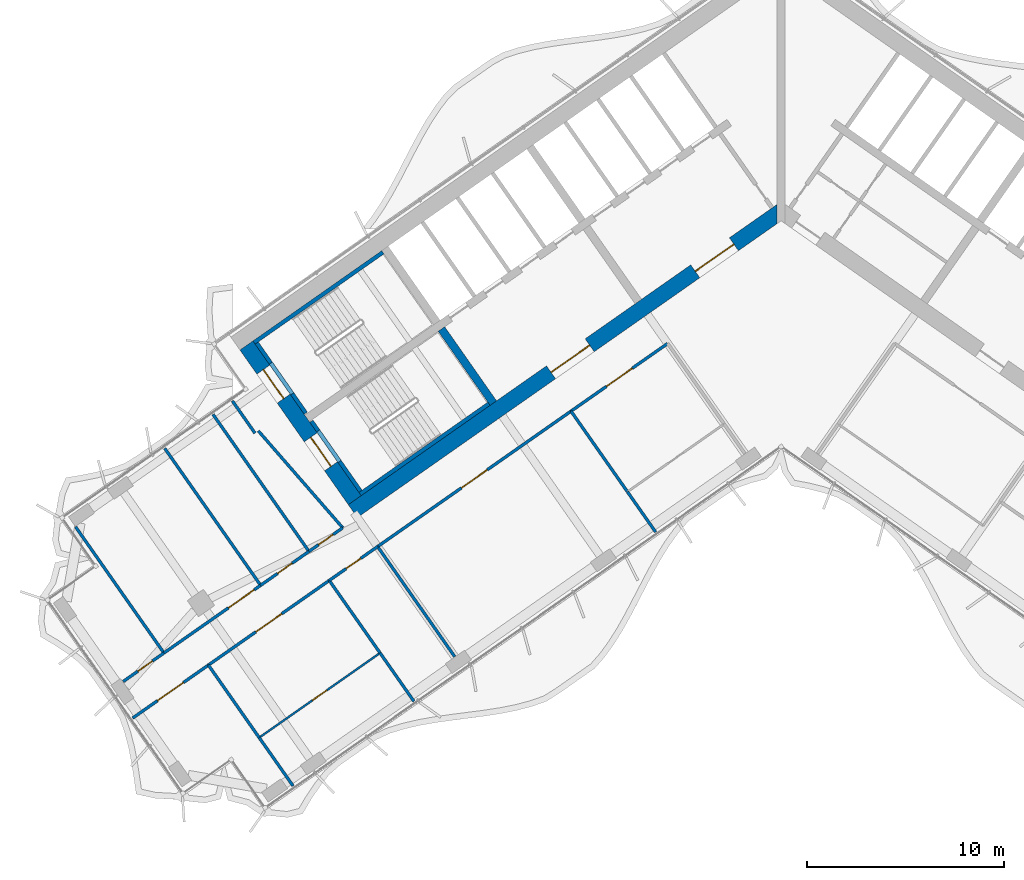
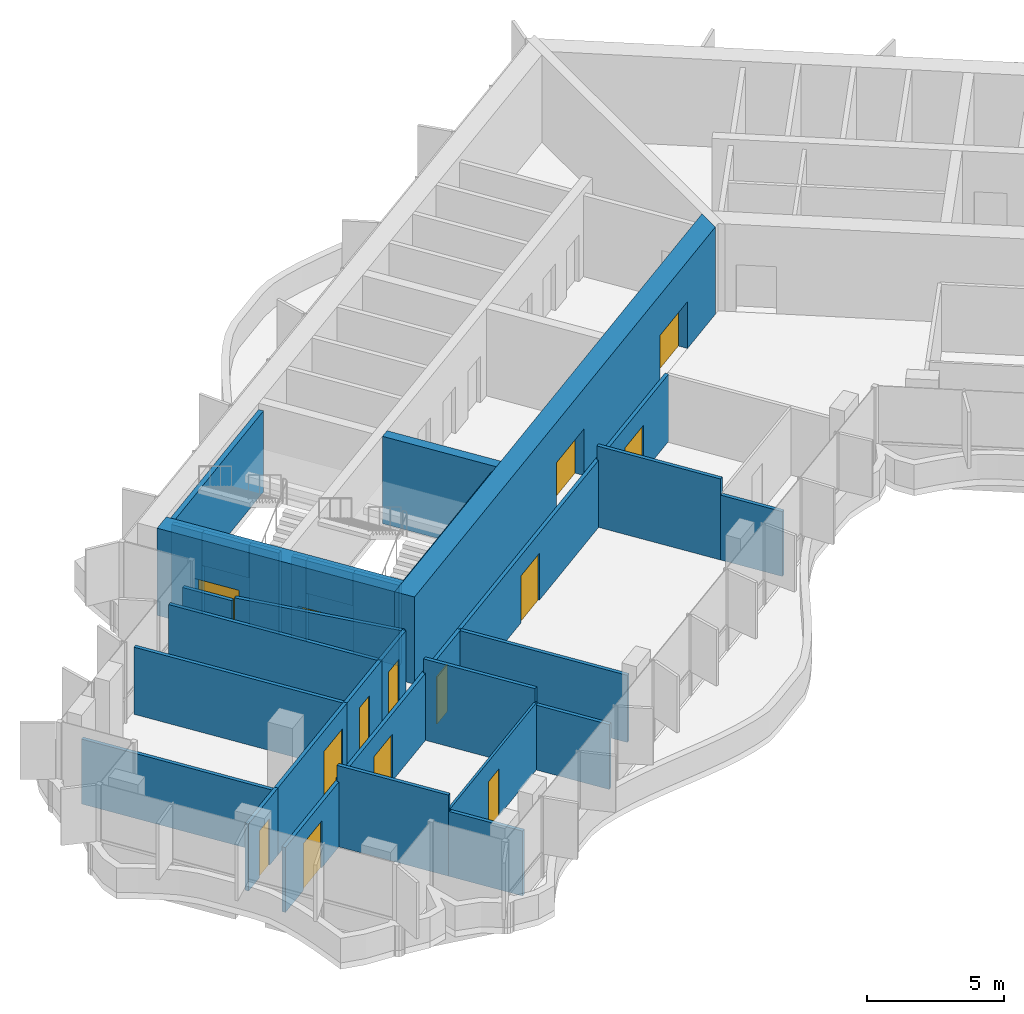
# One storey, part 14 of 23: 33 walls, 14 doors, 14 openings.
"""IFC4 building model written with IfcOpenShell, lengths in metres."""

from ifc_helpers import new_model, si_unit, direction, frame, frame_2d, origin, place, context, subcontext, project, spatial, polyline, rectangle, outline, extrude, material, layer, layer_set, type_object, element, fill, save


model = new_model("IFC4")

# Units and contexts
model_context = context("Model", 3, precision=1e-05, world=origin(), true_north=direction((0.0, 1.0)))
body_context = subcontext(model_context, "Body", "Model", "MODEL_VIEW")
ifc_project = project(units=[si_unit("LENGTHUNIT", "METRE"), si_unit("AREAUNIT", "SQUARE_METRE"), si_unit("VOLUMEUNIT", "CUBIC_METRE"), si_unit("PLANEANGLEUNIT", "RADIAN"), si_unit("MASSUNIT", "GRAM", prefix="KILO")], contexts=[model_context])

# Site, building, storey
site_placement = place(None, origin())
site = spatial("IfcSite", under=ifc_project, at=site_placement, CompositionType="ELEMENT")
building_placement = place(site_placement, origin())
building = spatial("IfcBuilding", under=site, at=building_placement, Name="Tel Ilan Convention Tower", CompositionType="ELEMENT")
storey_placement = place(building_placement, frame((0.0, 0.0, 171.0)))
storey = spatial("IfcBuildingStorey", under=building, at=storey_placement, Name="L39", CompositionType="ELEMENT", Elevation=171.0)

# Wall
ifc_material_1 = material(Name="Concrete C50/60", Category="concrete")
ifc_layer_1 = layer(ifc_material_1, 0.39990234375)
ifc_layer_set_1 = layer_set([ifc_layer_1], Name="Core Shear Wall 400 mm C50/60")
wall_type_1 = type_object("IfcWallType", Name="Core Shear Wall 400 mm C50/60", PredefinedType="SHEAR", material=ifc_layer_set_1)
wall_1_placement = place(storey_placement, frame((-14.6298828125, -10.48828125, 0.0), z_axis=(0.0, 0.0, 1.0), x_axis=(-0.573611936273, 0.819127185829, 0.0)))
element("IfcWall", 1, at=wall_1_placement, inside=storey, type_object=wall_type_1, Name="L39 core wall W-cross2-1", PredefinedType="SHEAR", context=body_context, shape_type="SweptSolid", body=[
    extrude(outline(polyline([(4.60009765625, 0.199951171875), (0.000244140625, 0.2001953125), (0.000244140625, -0.199951171875), (4.60009765625, -0.2001953125), (4.60009765625, 0.199951171875)])), origin(), (0.0, 0.0, 1.0), 3.89990234375),
])

# Wall, openings, doors
ifc_material_2 = material(Name="Concrete C50/60", Category="concrete")
ifc_layer_2 = layer(ifc_material_2, 0.800048828125)
ifc_layer_set_2 = layer_set([ifc_layer_2], Name="Core Shear Wall 800 mm C50/60")
wall_type_2 = type_object("IfcWallType", Name="Core Shear Wall 800 mm C50/60", PredefinedType="SHEAR", material=ifc_layer_set_2)
wall_2_placement = place(storey_placement, frame((0.029296875, -0.7119140625, 0.0), z_axis=(0.0, 0.0, 1.0), x_axis=(-0.819151758019, -0.573576845187, 0.0)))
wall_2 = element("IfcWall", 2, at=wall_2_placement, inside=storey, type_object=wall_type_2, Name="L39 core wall W-front", PredefinedType="SHEAR", context=body_context, shape_type="SweptSolid", body=[
    extrude(outline(polyline([(26.61572265625, 0.39990234375), (0.56005859375, 0.39990234375), (-0.000244140625, -0.39990234375), (26.61572265625, -0.39990234375), (26.61572265625, 0.39990234375)])), origin(), (0.0, 0.0, 1.0), 3.89990234375),
])
opening_1_placement = place(wall_2_placement, frame((2.9658203125, 0.0, 0.0)))
opening_1 = element("IfcOpeningElement", 3, at=opening_1_placement, cuts=wall_2, Name="Opening CD3105", PredefinedType="OPENING", context=body_context, shape_type="SweptSolid", body=[
    extrude(rectangle(XDim=2.39990234375, YDim=2.10009765625, at=frame_2d((1.199951171875, 1.050048828125))), frame((0.0, 0.409912109375, 0.0), z_axis=(0.0, -1.0, 0.0), x_axis=(1.0, 0.0, 0.0)), (0.0, 0.0, 1.0), 0.820068359375),
])
opening_2_placement = place(wall_2_placement, frame((11.915771484375, 0.0, 0.0)))
opening_2 = element("IfcOpeningElement", 4, at=opening_2_placement, cuts=wall_2, Name="Opening CD3106", PredefinedType="OPENING", context=body_context, shape_type="SweptSolid", body=[
    extrude(rectangle(XDim=2.39990234375, YDim=2.10009765625, at=frame_2d((1.199951171875, 1.050048828125))), frame((0.0, 0.409912109375, 0.0), z_axis=(0.0, -1.0, 0.0), x_axis=(1.0, 0.0, 0.0)), (0.0, 0.0, 1.0), 0.820068359375),
])
ifc_material_3 = material(Name="Glazed Aluminium Door Leaf", Category="aluminium")
door_type_1 = type_object("IfcDoorType", Name="Lobby Opening Door 2400 x 2100 FD60S", OperationType="NOTDEFINED", PredefinedType="DOOR", material=ifc_material_3)
door_1_placement = place(opening_1_placement, origin())
door_1 = element("IfcDoor", 5, at=door_1_placement, inside=storey, type_object=door_type_1, Name="Lift Lobby LR1-LR4 opening", OperationType="DOUBLE_DOOR_SINGLE_SWING", OverallHeight=2.10009765625, OverallWidth=2.39990234375, PredefinedType="DOOR", context=body_context, shape_type="SweptSolid", body=[
    extrude(rectangle(XDim=2.39990234375, YDim=2.10009765625, at=frame_2d((1.199951171875, 1.050048828125))), frame((0.0, 0.02490234375, 0.0), z_axis=(0.0, -1.0, 0.0), x_axis=(1.0, 0.0, 0.0)), (0.0, 0.0, 1.0), 0.050048828125),
])
fill(opening_1, door_1)
door_2_placement = place(opening_2_placement, origin())
door_2 = element("IfcDoor", 6, at=door_2_placement, inside=storey, type_object=door_type_1, Name="Lift Lobby LR5-LR8 opening", OperationType="DOUBLE_DOOR_SINGLE_SWING", OverallHeight=2.10009765625, OverallWidth=2.39990234375, PredefinedType="DOOR", context=body_context, shape_type="SweptSolid", body=[
    extrude(rectangle(XDim=2.39990234375, YDim=2.10009765625, at=frame_2d((1.199951171875, 1.050048828125))), frame((0.0, 0.02490234375, 0.0), z_axis=(0.0, -1.0, 0.0), x_axis=(1.0, 0.0, 0.0)), (0.0, 0.0, 1.0), 0.050048828125),
])
fill(opening_2, door_2)

wall_3_placement = place(storey_placement, frame((-21.6748046875, -15.4208984375, 0.0), z_axis=(0.0, 0.0, 1.0), x_axis=(-0.573581815061, 0.819148278049, 0.0)))
wall_3 = element("IfcWall", 7, at=wall_3_placement, inside=storey, type_object=wall_type_2, Name="L39 core wall W-end", PredefinedType="SHEAR", context=body_context, shape_type="SweptSolid", body=[
    extrude(outline(polyline([(0.0, 0.39990234375), (0.0, -0.39990234375), (9.599853515625, -0.400146484375), (9.599853515625, 0.39990234375), (0.0, 0.39990234375)])), origin(), (0.0, 0.0, 1.0), 3.89990234375),
])
opening_3_placement = place(wall_3_placement, frame((6.300048828125, 0.0, 0.0)))
opening_3 = element("IfcOpeningElement", 8, at=opening_3_placement, cuts=wall_3, Name="Opening SD3101", PredefinedType="OPENING", context=body_context, shape_type="SweptSolid", body=[
    extrude(rectangle(XDim=1.800048828125, YDim=2.10009765625, at=frame_2d((0.89990234375, 1.050048828125))), frame((0.0, 0.409912109375, 0.0), z_axis=(0.0, -1.0, 0.0), x_axis=(1.0, 0.0, 0.0)), (0.0, 0.0, 1.0), 0.820068359375),
])
opening_4_placement = place(wall_3_placement, frame((2.10009765625, 0.0, 0.0)))
opening_4 = element("IfcOpeningElement", 9, at=opening_4_placement, cuts=wall_3, Name="Opening SD3102", PredefinedType="OPENING", context=body_context, shape_type="SweptSolid", body=[
    extrude(rectangle(XDim=1.800048828125, YDim=2.10009765625, at=frame_2d((0.89990234375, 1.050048828125))), frame((0.0, 0.409912109375, 0.0), z_axis=(0.0, -1.0, 0.0), x_axis=(1.0, 0.0, 0.0)), (0.0, 0.0, 1.0), 0.820068359375),
])
ifc_material_4 = material(Name="Galvanised Steel Door Leaf", Category="steel")
door_type_2 = type_object("IfcDoorType", Name="Stair Fire Door 1800 x 2100 FD60S", OperationType="NOTDEFINED", PredefinedType="DOOR", material=ifc_material_4)
door_3_placement = place(opening_3_placement, origin())
door_3 = element("IfcDoor", 10, at=door_3_placement, inside=storey, type_object=door_type_2, Name="Stair S1 door", OperationType="DOUBLE_DOOR_SINGLE_SWING", OverallHeight=2.10009765625, OverallWidth=1.800048828125, PredefinedType="DOOR", context=body_context, shape_type="SweptSolid", body=[
    extrude(rectangle(XDim=1.800048828125, YDim=2.10009765625, at=frame_2d((0.89990234375, 1.050048828125))), frame((0.0, 0.02490234375, 0.0), z_axis=(0.0, -1.0, 0.0), x_axis=(1.0, 0.0, 0.0)), (0.0, 0.0, 1.0), 0.050048828125),
])
fill(opening_3, door_3)
door_4_placement = place(opening_4_placement, origin())
door_4 = element("IfcDoor", 11, at=door_4_placement, inside=storey, type_object=door_type_2, Name="Stair S2 door", OperationType="DOUBLE_DOOR_SINGLE_SWING", OverallHeight=2.10009765625, OverallWidth=1.800048828125, PredefinedType="DOOR", context=body_context, shape_type="SweptSolid", body=[
    extrude(rectangle(XDim=1.800048828125, YDim=2.10009765625, at=frame_2d((0.89990234375, 1.050048828125))), frame((0.0, 0.02490234375, 0.0), z_axis=(0.0, -1.0, 0.0), x_axis=(1.0, 0.0, 0.0)), (0.0, 0.0, 1.0), 0.050048828125),
])
fill(opening_4, door_4)

# Wall, opening, door
ifc_material_5 = material(Name="Plasterboard on Steel Studs", Category="steel")
ifc_layer_3 = layer(ifc_material_5, 0.14990234375)
ifc_layer_set_3 = layer_set([ifc_layer_3], Name="Fire-rated Partition 150 EI 60")
wall_type_3 = type_object("IfcWallType", Name="Fire-rated Partition 150 EI 60", PredefinedType="PARTITIONING", material=ifc_layer_set_3)
wall_4_placement = place(storey_placement, frame((-24.002197265625, -18.028076171875, 0.0), z_axis=(0.0, 0.0, 1.0), x_axis=(0.819144473797, 0.573587247982, 0.0)))
wall_4 = element("IfcWall", 12, at=wall_4_placement, inside=storey, type_object=wall_type_3, Name="Partition 008", PredefinedType="PARTITIONING", context=body_context, shape_type="SweptSolid", body=[
    extrude(rectangle(XDim=2.098876953125, YDim=0.14990234375, at=frame_2d((1.04931640625, 0.0))), origin(), (0.0, 0.0, 1.0), 3.0),
])
opening_5_placement = place(wall_4_placement, frame((0.599365234375, 0.0, 0.0)))
opening_5 = element("IfcOpeningElement", 13, at=opening_5_placement, cuts=wall_4, Name="Opening L39-008", PredefinedType="OPENING", context=body_context, shape_type="SweptSolid", body=[
    extrude(rectangle(XDim=0.89990234375, YDim=2.10009765625, at=frame_2d((0.449951171875, 1.050048828125))), frame((0.0, 0.0849609375, 0.0), z_axis=(0.0, -1.0, 0.0), x_axis=(1.0, 0.0, 0.0)), (0.0, 0.0, 1.0), 0.169921875),
])
ifc_material_6 = material(Name="Timber Door Leaf in Steel Frame", Category="steel")
door_type_3 = type_object("IfcDoorType", Name="Room Fire Door 900x2100", OperationType="NOTDEFINED", PredefinedType="DOOR", material=ifc_material_6)
door_5_placement = place(opening_5_placement, origin())
door_5 = element("IfcDoor", 14, at=door_5_placement, inside=storey, type_object=door_type_3, Name="Door L39-008", OperationType="SINGLE_SWING_RIGHT", OverallHeight=2.10009765625, OverallWidth=0.89990234375, PredefinedType="DOOR", context=body_context, shape_type="SweptSolid", body=[
    extrude(rectangle(XDim=0.89990234375, YDim=2.10009765625, at=frame_2d((0.449951171875, 1.050048828125))), frame((0.0, 0.02490234375, 0.0), z_axis=(0.0, -1.0, 0.0), x_axis=(1.0, 0.0, 0.0)), (0.0, 0.0, 1.0), 0.050048828125),
])
fill(opening_5, door_5)

wall_5_placement = place(storey_placement, frame((-26.459716796875, -19.748779296875, 0.0), z_axis=(0.0, 0.0, 1.0), x_axis=(0.81916700466, 0.573555070134, 0.0)))
wall_5 = element("IfcWall", 15, at=wall_5_placement, inside=storey, type_object=wall_type_3, Name="Partition 009", PredefinedType="PARTITIONING", context=body_context, shape_type="SweptSolid", body=[
    extrude(rectangle(XDim=3.00390625, YDim=0.14990234375, at=frame_2d((1.501953125, 0.0))), origin(), (0.0, 0.0, 1.0), 3.0),
])
opening_6_placement = place(wall_5_placement, frame((1.052001953125, 0.0, 0.0)))
opening_6 = element("IfcOpeningElement", 16, at=opening_6_placement, cuts=wall_5, Name="Opening L39-009", PredefinedType="OPENING", context=body_context, shape_type="SweptSolid", body=[
    extrude(rectangle(XDim=0.89990234375, YDim=2.10009765625, at=frame_2d((0.449951171875, 1.050048828125))), frame((0.0, 0.0849609375, 0.0), z_axis=(0.0, -1.0, 0.0), x_axis=(1.0, 0.0, 0.0)), (0.0, 0.0, 1.0), 0.169921875),
])
door_6_placement = place(opening_6_placement, origin())
door_6 = element("IfcDoor", 17, at=door_6_placement, inside=storey, type_object=door_type_3, Name="Door L39-009", OperationType="SINGLE_SWING_RIGHT", OverallHeight=2.10009765625, OverallWidth=0.89990234375, PredefinedType="DOOR", context=body_context, shape_type="SweptSolid", body=[
    extrude(rectangle(XDim=0.89990234375, YDim=2.10009765625, at=frame_2d((0.449951171875, 1.050048828125))), frame((0.0, 0.02490234375, 0.0), z_axis=(0.0, -1.0, 0.0), x_axis=(1.0, 0.0, 0.0)), (0.0, 0.0, 1.0), 0.050048828125),
])
fill(opening_6, door_6)

wall_6_placement = place(storey_placement, frame((-31.37451171875, -23.190185546875, 0.0), z_axis=(0.0, 0.0, 1.0), x_axis=(0.819151674578, 0.573576964353, 0.0)))
wall_6 = element("IfcWall", 18, at=wall_6_placement, inside=storey, type_object=wall_type_3, Name="Partition 010", PredefinedType="PARTITIONING", context=body_context, shape_type="SweptSolid", body=[
    extrude(rectangle(XDim=6.003662109375, YDim=0.14990234375, at=frame_2d((3.001953125, 0.0))), origin(), (0.0, 0.0, 1.0), 3.0),
])
opening_7_placement = place(wall_6_placement, frame((4.001953125, 0.0, 0.0)))
opening_7 = element("IfcOpeningElement", 19, at=opening_7_placement, cuts=wall_6, Name="Opening L39-010", PredefinedType="OPENING", context=body_context, shape_type="SweptSolid", body=[
    extrude(rectangle(XDim=1.60009765625, YDim=2.10009765625, at=frame_2d((0.800048828125, 1.050048828125))), frame((0.0, 0.0849609375, 0.0), z_axis=(0.0, -1.0, 0.0), x_axis=(1.0, 0.0, 0.0)), (0.0, 0.0, 1.0), 0.169921875),
])
ifc_material_7 = material(Name="Timber Door Leaf in Steel Frame", Category="steel")
door_type_4 = type_object("IfcDoorType", Name="Tenant Suite Entrance Fire Door 1600x2100", OperationType="NOTDEFINED", PredefinedType="DOOR", material=ifc_material_7)
door_7_placement = place(opening_7_placement, origin())
door_7 = element("IfcDoor", 20, at=door_7_placement, inside=storey, type_object=door_type_4, Name="Door L39-010", OperationType="DOUBLE_DOOR_SINGLE_SWING", OverallHeight=2.10009765625, OverallWidth=1.60009765625, PredefinedType="DOOR", context=body_context, shape_type="SweptSolid", body=[
    extrude(rectangle(XDim=1.60009765625, YDim=2.10009765625, at=frame_2d((0.800048828125, 1.050048828125))), frame((0.0, 0.02490234375, 0.0), z_axis=(0.0, -1.0, 0.0), x_axis=(1.0, 0.0, 0.0)), (0.0, 0.0, 1.0), 0.050048828125),
])
fill(opening_7, door_7)

wall_7_placement = place(storey_placement, frame((-33.4453125, -24.640380859375, 0.0), z_axis=(0.0, 0.0, 1.0), x_axis=(0.819163961478, 0.573559416465, 0.0)))
wall_7 = element("IfcWall", 21, at=wall_7_placement, inside=storey, type_object=wall_type_3, Name="Partition 011", PredefinedType="PARTITIONING", context=body_context, shape_type="SweptSolid", body=[
    extrude(rectangle(XDim=2.53173828125, YDim=0.14990234375, at=frame_2d((1.265869140625, 0.0))), origin(), (0.0, 0.0, 1.0), 3.0),
])
opening_8_placement = place(wall_7_placement, frame((0.916015625, 0.0, 0.0)))
opening_8 = element("IfcOpeningElement", 22, at=opening_8_placement, cuts=wall_7, Name="Opening L39-011", PredefinedType="OPENING", context=body_context, shape_type="SweptSolid", body=[
    extrude(rectangle(XDim=0.89990234375, YDim=2.10009765625, at=frame_2d((0.449951171875, 1.050048828125))), frame((0.0, 0.0849609375, 0.0), z_axis=(0.0, -1.0, 0.0), x_axis=(1.0, 0.0, 0.0)), (0.0, 0.0, 1.0), 0.169921875),
])
door_8_placement = place(opening_8_placement, origin())
door_8 = element("IfcDoor", 23, at=door_8_placement, inside=storey, type_object=door_type_3, Name="Door L39-011", OperationType="SINGLE_SWING_LEFT", OverallHeight=2.10009765625, OverallWidth=0.89990234375, PredefinedType="DOOR", context=body_context, shape_type="SweptSolid", body=[
    extrude(rectangle(XDim=0.89990234375, YDim=2.10009765625, at=frame_2d((0.449951171875, 1.050048828125))), frame((0.0, 0.02490234375, 0.0), z_axis=(0.0, -1.0, 0.0), x_axis=(1.0, 0.0, 0.0)), (0.0, 0.0, 1.0), 0.050048828125),
])
fill(opening_8, door_8)

wall_8_placement = place(storey_placement, frame((-5.766357421875, -7.455810546875, 0.0), z_axis=(0.0, 0.0, 1.0), x_axis=(-0.819147828287, -0.573582457378, 0.0)))
wall_8 = element("IfcWall", 24, at=wall_8_placement, inside=storey, type_object=wall_type_3, Name="Partition 012", PredefinedType="PARTITIONING", context=body_context, shape_type="SweptSolid", body=[
    extrude(rectangle(XDim=6.001953125, YDim=0.14990234375, at=frame_2d((3.0009765625, 0.0))), origin(), (0.0, 0.0, 1.0), 3.0),
])
opening_9_placement = place(wall_8_placement, frame((2.200927734375, 0.0, 0.0)))
opening_9 = element("IfcOpeningElement", 25, at=opening_9_placement, cuts=wall_8, Name="Opening L39-001", PredefinedType="OPENING", context=body_context, shape_type="SweptSolid", body=[
    extrude(rectangle(XDim=1.60009765625, YDim=2.10009765625, at=frame_2d((0.800048828125, 1.050048828125))), frame((0.0, 0.0849609375, 0.0), z_axis=(0.0, -1.0, 0.0), x_axis=(1.0, 0.0, 0.0)), (0.0, 0.0, 1.0), 0.169921875),
])
door_9_placement = place(opening_9_placement, origin())
door_9 = element("IfcDoor", 26, at=door_9_placement, inside=storey, type_object=door_type_4, Name="Door L39-001", OperationType="DOUBLE_DOOR_SINGLE_SWING", OverallHeight=2.10009765625, OverallWidth=1.60009765625, PredefinedType="DOOR", context=body_context, shape_type="SweptSolid", body=[
    extrude(rectangle(XDim=1.60009765625, YDim=2.10009765625, at=frame_2d((0.800048828125, 1.050048828125))), frame((0.0, 0.02490234375, 0.0), z_axis=(0.0, -1.0, 0.0), x_axis=(1.0, 0.0, 0.0)), (0.0, 0.0, 1.0), 0.050048828125),
])
fill(opening_9, door_9)

wall_9_placement = place(storey_placement, frame((-10.6796875, -10.89599609375, 0.0), z_axis=(0.0, 0.0, 1.0), x_axis=(-0.81913827233, -0.573596104244, 0.0)))
wall_9 = element("IfcWall", 27, at=wall_9_placement, inside=storey, type_object=wall_type_3, Name="Partition 013", PredefinedType="PARTITIONING", context=body_context, shape_type="SweptSolid", body=[
    extrude(rectangle(XDim=12.004150390625, YDim=0.14990234375, at=frame_2d((6.001953125, 0.0))), origin(), (0.0, 0.0, 1.0), 3.0),
])
opening_10_placement = place(wall_9_placement, frame((5.201904296875, 0.0, 0.0)))
opening_10 = element("IfcOpeningElement", 28, at=opening_10_placement, cuts=wall_9, Name="Opening L39-003", PredefinedType="OPENING", context=body_context, shape_type="SweptSolid", body=[
    extrude(rectangle(XDim=1.60009765625, YDim=2.10009765625, at=frame_2d((0.800048828125, 1.050048828125))), frame((0.0, 0.0849609375, 0.0), z_axis=(0.0, -1.0, 0.0), x_axis=(1.0, 0.0, 0.0)), (0.0, 0.0, 1.0), 0.169921875),
])
door_10_placement = place(opening_10_placement, origin())
door_10 = element("IfcDoor", 29, at=door_10_placement, inside=storey, type_object=door_type_4, Name="Door L39-003", OperationType="DOUBLE_DOOR_SINGLE_SWING", OverallHeight=2.10009765625, OverallWidth=1.60009765625, PredefinedType="DOOR", context=body_context, shape_type="SweptSolid", body=[
    extrude(rectangle(XDim=1.60009765625, YDim=2.10009765625, at=frame_2d((0.800048828125, 1.050048828125))), frame((0.0, 0.02490234375, 0.0), z_axis=(0.0, -1.0, 0.0), x_axis=(1.0, 0.0, 0.0)), (0.0, 0.0, 1.0), 0.050048828125),
])
fill(opening_10, door_10)

wall_10_placement = place(storey_placement, frame((-20.509521484375, -17.779052734375, 0.0), z_axis=(0.0, 0.0, 1.0), x_axis=(-0.819128818764, -0.573609604409, 0.0)))
wall_10 = element("IfcWall", 30, at=wall_10_placement, inside=storey, type_object=wall_type_3, Name="Partition 014", PredefinedType="PARTITIONING", context=body_context, shape_type="SweptSolid", body=[
    extrude(rectangle(XDim=3.004150390625, YDim=0.14990234375, at=frame_2d((1.501953125, 0.0))), origin(), (0.0, 0.0, 1.0), 3.0),
])
opening_11_placement = place(wall_10_placement, frame((1.052001953125, 0.0, 0.0)))
opening_11 = element("IfcOpeningElement", 31, at=opening_11_placement, cuts=wall_10, Name="Opening L39-004", PredefinedType="OPENING", context=body_context, shape_type="SweptSolid", body=[
    extrude(rectangle(XDim=0.89990234375, YDim=2.10009765625, at=frame_2d((0.449951171875, 1.050048828125))), frame((0.0, 0.0849609375, 0.0), z_axis=(0.0, -1.0, 0.0), x_axis=(1.0, 0.0, 0.0)), (0.0, 0.0, 1.0), 0.169921875),
])
door_11_placement = place(opening_11_placement, origin())
door_11 = element("IfcDoor", 32, at=door_11_placement, inside=storey, type_object=door_type_3, Name="Door L39-004", OperationType="SINGLE_SWING_LEFT", OverallHeight=2.10009765625, OverallWidth=0.89990234375, PredefinedType="DOOR", context=body_context, shape_type="SweptSolid", body=[
    extrude(rectangle(XDim=0.89990234375, YDim=2.10009765625, at=frame_2d((0.449951171875, 1.050048828125))), frame((0.0, 0.02490234375, 0.0), z_axis=(0.0, -1.0, 0.0), x_axis=(1.0, 0.0, 0.0)), (0.0, 0.0, 1.0), 0.050048828125),
])
fill(opening_11, door_11)

wall_11_placement = place(storey_placement, frame((-22.966796875, -19.499755859375, 0.0), z_axis=(0.0, 0.0, 1.0), x_axis=(-0.819149375276, -0.573580248078, 0.0)))
wall_11 = element("IfcWall", 33, at=wall_11_placement, inside=storey, type_object=wall_type_3, Name="Partition 015", PredefinedType="PARTITIONING", context=body_context, shape_type="SweptSolid", body=[
    extrude(rectangle(XDim=7.504150390625, YDim=0.14990234375, at=frame_2d((3.751953125, 0.0))), origin(), (0.0, 0.0, 1.0), 3.0),
])
opening_12_placement = place(wall_11_placement, frame((2.951904296875, 0.0, 0.0)))
opening_12 = element("IfcOpeningElement", 34, at=opening_12_placement, cuts=wall_11, Name="Opening L39-005", PredefinedType="OPENING", context=body_context, shape_type="SweptSolid", body=[
    extrude(rectangle(XDim=1.60009765625, YDim=2.10009765625, at=frame_2d((0.800048828125, 1.050048828125))), frame((0.0, 0.0849609375, 0.0), z_axis=(0.0, -1.0, 0.0), x_axis=(1.0, 0.0, 0.0)), (0.0, 0.0, 1.0), 0.169921875),
])
door_12_placement = place(opening_12_placement, origin())
door_12 = element("IfcDoor", 35, at=door_12_placement, inside=storey, type_object=door_type_4, Name="Door L39-005", OperationType="DOUBLE_DOOR_SINGLE_SWING", OverallHeight=2.10009765625, OverallWidth=1.60009765625, PredefinedType="DOOR", context=body_context, shape_type="SweptSolid", body=[
    extrude(rectangle(XDim=1.60009765625, YDim=2.10009765625, at=frame_2d((0.800048828125, 1.050048828125))), frame((0.0, 0.02490234375, 0.0), z_axis=(0.0, -1.0, 0.0), x_axis=(1.0, 0.0, 0.0)), (0.0, 0.0, 1.0), 0.050048828125),
])
fill(opening_12, door_12)

wall_12_placement = place(storey_placement, frame((-29.110595703125, -23.801513671875, 0.0), z_axis=(0.0, 0.0, 1.0), x_axis=(-0.819139214842, -0.573594758263, 0.0)))
wall_12 = element("IfcWall", 36, at=wall_12_placement, inside=storey, type_object=wall_type_3, Name="Partition 016", PredefinedType="PARTITIONING", context=body_context, shape_type="SweptSolid", body=[
    extrude(rectangle(XDim=4.701904296875, YDim=0.14990234375, at=frame_2d((2.35107421875, 0.0))), origin(), (0.0, 0.0, 1.0), 2.89990234375),
])
opening_13_placement = place(wall_12_placement, frame((1.551025390625, 0.0, 0.0)))
opening_13 = element("IfcOpeningElement", 37, at=opening_13_placement, cuts=wall_12, Name="Opening L39-007", PredefinedType="OPENING", context=body_context, shape_type="SweptSolid", body=[
    extrude(rectangle(XDim=1.60009765625, YDim=2.10009765625, at=frame_2d((0.800048828125, 1.050048828125))), frame((0.0, 0.0849609375, 0.0), z_axis=(0.0, -1.0, 0.0), x_axis=(1.0, 0.0, 0.0)), (0.0, 0.0, 1.0), 0.169921875),
])
door_13_placement = place(opening_13_placement, origin())
door_13 = element("IfcDoor", 38, at=door_13_placement, inside=storey, type_object=door_type_4, Name="Door L39-007", OperationType="DOUBLE_DOOR_SINGLE_SWING", OverallHeight=2.10009765625, OverallWidth=1.60009765625, PredefinedType="DOOR", context=body_context, shape_type="SweptSolid", body=[
    extrude(rectangle(XDim=1.60009765625, YDim=2.10009765625, at=frame_2d((0.800048828125, 1.050048828125))), frame((0.0, 0.02490234375, 0.0), z_axis=(0.0, -1.0, 0.0), x_axis=(1.0, 0.0, 0.0)), (0.0, 0.0, 1.0), 0.050048828125),
])
fill(opening_13, door_13)

# Walls
wall_13_placement = place(storey_placement, frame((-26.74609375, -12.013671875, 0.0), z_axis=(0.0, 0.0, 1.0), x_axis=(-0.573568836472, 0.819157365729, 0.0)))
element("IfcWall", 39, at=wall_13_placement, inside=storey, type_object=wall_type_3, Name="Partition 035", PredefinedType="PARTITIONING", context=body_context, shape_type="SweptSolid", body=[
    extrude(rectangle(XDim=2.000244140625, YDim=0.14990234375, at=frame_2d((1.0, 0.0))), origin(), (0.0, 0.0, 1.0), 3.0),
])
wall_14_placement = place(storey_placement, frame((-22.28369140625, -16.826416015625, 0.0), z_axis=(0.0, 0.0, 1.0), x_axis=(-0.656758142177, 0.754101281449, 0.0)))
element("IfcWall", 40, at=wall_14_placement, inside=storey, type_object=wall_type_3, Name="Partition 036", PredefinedType="PARTITIONING", context=body_context, shape_type="SweptSolid", body=[
    extrude(rectangle(XDim=6.53857421875, YDim=0.14990234375, at=frame_2d((3.269287109375, 0.0))), origin(), (0.0, 0.0, 1.0), 3.0),
])
for number, where, z_axis, x_axis, name in (
    (41, (-24.0009765625, -18.0263671875, 0.0), (0.0, 0.0, 1.0), (-0.573591492816, 0.819141501433, 0.0), "Partition 037"),
    (42, (-26.45849609375, -19.747314453125, 0.0), (0.0, 0.0, 1.0), (-0.573558724475, 0.819164445993, 0.0), "Partition 038"),
):
    element("IfcWall", number, at=place(storey_placement, frame(where, z_axis=z_axis, x_axis=x_axis)), inside=storey, type_object=wall_type_3, Name=name, PredefinedType="PARTITIONING", context=body_context, shape_type="SweptSolid", body=[
        extrude(rectangle(XDim=8.5, YDim=0.14990234375, at=frame_2d((4.25, 0.0))), origin(), (0.0, 0.0, 1.0), 3.0),
    ])
wall_15_placement = place(storey_placement, frame((-31.373291015625, -23.188720703125, 0.0), z_axis=(0.0, 0.0, 1.0), x_axis=(-0.573579523489, 0.819149882643, 0.0)))
element("IfcWall", 43, at=wall_15_placement, inside=storey, type_object=wall_type_3, Name="Partition 039", PredefinedType="PARTITIONING", context=body_context, shape_type="SweptSolid", body=[
    extrude(rectangle(XDim=7.830078125, YDim=0.14990234375, at=frame_2d((3.9150390625, 0.0))), origin(), (0.0, 0.0, 1.0), 2.89990234375),
])
wall_16_placement = place(storey_placement, frame((-6.37939453125, -17.041015625, 0.0), z_axis=(0.0, 0.0, 1.0), x_axis=(-0.573560689761, 0.819163069945, 0.0)))
element("IfcWall", 44, at=wall_16_placement, inside=storey, type_object=wall_type_3, Name="Partition 041", PredefinedType="PARTITIONING", context=body_context, shape_type="SweptSolid", body=[
    extrude(rectangle(XDim=2.4990234375, YDim=0.14990234375, at=frame_2d((1.24951171875, 0.0))), origin(), (0.0, 0.0, 1.0), 2.89990234375),
])
wall_17_placement = place(storey_placement, frame((-7.8134765625, -14.992919921875, 0.0), z_axis=(0.0, 0.0, 1.0), x_axis=(-0.573586866468, 0.819144740944, 0.0)))
element("IfcWall", 45, at=wall_17_placement, inside=storey, type_object=wall_type_3, Name="Partition 042", PredefinedType="PARTITIONING", context=body_context, shape_type="SweptSolid", body=[
    extrude(rectangle(XDim=5.0, YDim=0.14990234375, at=frame_2d((2.5, 0.0))), origin(), (0.0, 0.0, 1.0), 3.6201171875),
])
wall_18_placement = place(storey_placement, frame((-16.593505859375, -23.375, 0.0), z_axis=(0.0, 0.0, 1.0), x_axis=(-0.573577493031, 0.819151304393, 0.0)))
element("IfcWall", 46, at=wall_18_placement, inside=storey, type_object=wall_type_3, Name="Partition 043", PredefinedType="PARTITIONING", context=body_context, shape_type="SweptSolid", body=[
    extrude(rectangle(XDim=6.829833984375, YDim=0.14990234375, at=frame_2d((3.4150390625, 0.0))), origin(), (0.0, 0.0, 1.0), 3.0),
])
wall_19_placement = place(storey_placement, frame((-18.666748046875, -25.64453125, 0.0), z_axis=(0.0, 0.0, 1.0), x_axis=(-0.573555162214, 0.819166940189, 0.0)))
element("IfcWall", 47, at=wall_19_placement, inside=storey, type_object=wall_type_3, Name="Partition 044", PredefinedType="PARTITIONING", context=body_context, shape_type="SweptSolid", body=[
    extrude(rectangle(XDim=3.0009765625, YDim=0.14990234375, at=frame_2d((1.50048828125, 0.0))), origin(), (0.0, 0.0, 1.0), 2.89990234375),
])
wall_20_placement = place(storey_placement, frame((-20.38623046875, -23.188720703125, 0.0), z_axis=(0.0, 0.0, 1.0), x_axis=(-0.573589723117, 0.819142740634, 0.0)))
element("IfcWall", 48, at=wall_20_placement, inside=storey, type_object=wall_type_3, Name="Partition 045", PredefinedType="PARTITIONING", context=body_context, shape_type="SweptSolid", body=[
    extrude(rectangle(XDim=4.501953125, YDim=0.14990234375, at=frame_2d((2.2509765625, 0.0))), origin(), (0.0, 0.0, 1.0), 3.6201171875),
])
wall_21_placement = place(storey_placement, frame((-24.810302734375, -29.9462890625, 0.0), z_axis=(0.0, 0.0, 1.0), x_axis=(-0.573604390867, 0.819132469615, 0.0)))
element("IfcWall", 49, at=wall_21_placement, inside=storey, type_object=wall_type_3, Name="Partition 047", PredefinedType="PARTITIONING", context=body_context, shape_type="SweptSolid", body=[
    extrude(rectangle(XDim=2.9990234375, YDim=0.14990234375, at=frame_2d((1.49951171875, 0.0))), origin(), (0.0, 0.0, 1.0), 2.89990234375),
])
wall_22_placement = place(storey_placement, frame((-26.531005859375, -27.489013671875, 0.0), z_axis=(0.0, 0.0, 1.0), x_axis=(-0.573597054147, 0.819137607166, 0.0)))
element("IfcWall", 50, at=wall_22_placement, inside=storey, type_object=wall_type_3, Name="Partition 048", PredefinedType="PARTITIONING", context=body_context, shape_type="SweptSolid", body=[
    extrude(rectangle(XDim=4.500244140625, YDim=0.14990234375, at=frame_2d((2.25, 0.0))), origin(), (0.0, 0.0, 1.0), 3.6201171875),
])

# Wall, opening, door
ifc_material_8 = material(Name="Plasterboard on Steel Studs", Category="steel")
ifc_layer_4 = layer(ifc_material_8, 0.10009765625)
ifc_layer_set_4 = layer_set([ifc_layer_4], Name="Plasterboard Partition 100")
wall_type_4 = type_object("IfcWallType", Name="Plasterboard Partition 100", PredefinedType="PARTITIONING", material=ifc_layer_set_4)
wall_23_placement = place(storey_placement, frame((-20.386962890625, -23.18798828125, 0.0), z_axis=(0.0, 0.0, 1.0), x_axis=(-0.81915238829, -0.573575945067, 0.0)))
wall_23 = element("IfcWall", 51, at=wall_23_placement, inside=storey, type_object=wall_type_4, Name="Partition 046", PredefinedType="PARTITIONING", context=body_context, shape_type="SweptSolid", body=[
    extrude(rectangle(XDim=7.5, YDim=0.10009765625, at=frame_2d((3.75, 0.0))), origin(), (0.0, 0.0, 1.0), 3.0),
])
opening_14_placement = place(wall_23_placement, frame((3.300048828125, 0.0, 0.0)))
opening_14 = element("IfcOpeningElement", 52, at=opening_14_placement, cuts=wall_23, Name="Opening L39-006", PredefinedType="OPENING", context=body_context, shape_type="SweptSolid", body=[
    extrude(rectangle(XDim=0.89990234375, YDim=2.10009765625, at=frame_2d((0.449951171875, 1.050048828125))), frame((0.0, 0.06005859375, 0.0), z_axis=(0.0, -1.0, 0.0), x_axis=(1.0, 0.0, 0.0)), (0.0, 0.0, 1.0), 0.1201171875),
])
ifc_material_9 = material(Name="Timber Door Leaf in Steel Frame", Category="steel")
door_type_5 = type_object("IfcDoorType", Name="Room Timber Door 900x2100", OperationType="NOTDEFINED", PredefinedType="DOOR", material=ifc_material_9)
door_14_placement = place(opening_14_placement, origin())
door_14 = element("IfcDoor", 53, at=door_14_placement, inside=storey, type_object=door_type_5, Name="Door L39-006", OperationType="SINGLE_SWING_RIGHT", OverallHeight=2.10009765625, OverallWidth=0.89990234375, PredefinedType="DOOR", context=body_context, shape_type="SweptSolid", body=[
    extrude(rectangle(XDim=0.89990234375, YDim=2.10009765625, at=frame_2d((0.449951171875, 1.050048828125))), frame((0.0, 0.02490234375, 0.0), z_axis=(0.0, -1.0, 0.0), x_axis=(1.0, 0.0, 0.0)), (0.0, 0.0, 1.0), 0.050048828125),
])
fill(opening_14, door_14)

# Walls
ifc_material_10 = material(Name="Concrete C30/37", Category="concrete")
ifc_layer_5 = layer(ifc_material_10, 0.199951171875)
ifc_layer_set_5 = layer_set([ifc_layer_5], Name="Stair and Shaft Lining Wall 200 mm C30/37")
wall_type_5 = type_object("IfcWallType", Name="Stair and Shaft Lining Wall 200 mm C30/37", PredefinedType="SOLIDWALL", material=ifc_layer_set_5)
wall_24_placement = place(storey_placement, frame((-20.242919921875, -2.821044921875, 0.0), z_axis=(0.0, 0.0, 1.0), x_axis=(-0.819141584393, -0.57359137434, 0.0)))
element("IfcWall", 54, at=wall_24_placement, inside=storey, type_object=wall_type_5, Name="L39 core wall lining-S1-t1", PredefinedType="SOLIDWALL", context=body_context, shape_type="SweptSolid", body=[
    extrude(rectangle(XDim=7.999755859375, YDim=0.199951171875, at=frame_2d((4.0, 0.0))), origin(), (0.0, 0.0, 1.0), 3.6201171875),
])
wall_25_placement = place(storey_placement, frame((-24.16162109375, -10.99755859375, 0.0), z_axis=(0.0, 0.0, 1.0), x_axis=(-0.573612502218, 0.819126789514, 0.0)))
element("IfcWall", 55, at=wall_25_placement, inside=storey, type_object=wall_type_5, Name="L39 core wall lining-S1-u1-0", PredefinedType="SOLIDWALL", context=body_context, shape_type="SweptSolid", body=[
    extrude(rectangle(XDim=1.2001953125, YDim=0.199951171875, at=frame_2d((0.60009765625, 0.0))), origin(), (0.0, 0.0, 1.0), 3.6201171875),
])
wall_26_placement = place(storey_placement, frame((-25.939697265625, -8.4580078125, 0.0), z_axis=(0.0, 0.0, 1.0), x_axis=(-0.573619628835, 0.819121798889, 0.0)))
element("IfcWall", 56, at=wall_26_placement, inside=storey, type_object=wall_type_5, Name="L39 core wall lining-S1-u1-1", PredefinedType="SOLIDWALL", context=body_context, shape_type="SweptSolid", body=[
    extrude(rectangle(XDim=1.25, YDim=0.199951171875, at=frame_2d((0.625, 0.0))), origin(), (0.0, 0.0, 1.0), 3.6201171875),
])
wall_27_placement = place(storey_placement, frame((-24.85009765625, -10.014404296875, 2.14990234375), z_axis=(0.0, 0.0, 1.0), x_axis=(-0.573505465124, 0.819201734296, 0.0)))
element("IfcWall", 57, at=wall_27_placement, inside=storey, type_object=wall_type_5, Name="L39 core wall lining-S1-u1-lintel", PredefinedType="SOLIDWALL", context=body_context, shape_type="SweptSolid", body=[
    extrude(rectangle(XDim=1.89990234375, YDim=0.199951171875, at=frame_2d((0.949951171875, 0.0))), origin(), (0.0, 0.0, 1.0), 1.47021484375),
])
wall_28_placement = place(storey_placement, frame((-14.851318359375, -10.52099609375, 0.0), z_axis=(0.0, 0.0, 1.0), x_axis=(-0.819141584393, -0.57359137434, 0.0)))
element("IfcWall", 58, at=wall_28_placement, inside=storey, type_object=wall_type_5, Name="L39 core wall lining-S2-t0", PredefinedType="SOLIDWALL", context=body_context, shape_type="SweptSolid", body=[
    extrude(rectangle(XDim=7.999755859375, YDim=0.199951171875, at=frame_2d((4.0, 0.0))), origin(), (0.0, 0.0, 1.0), 3.6201171875),
])
wall_29_placement = place(storey_placement, frame((-21.3798828125, -14.97021484375, 0.0), z_axis=(0.0, 0.0, 1.0), x_axis=(-0.573559770908, 0.819163713305, 0.0)))
element("IfcWall", 59, at=wall_29_placement, inside=storey, type_object=wall_type_5, Name="L39 core wall lining-S2-u1-0", PredefinedType="SOLIDWALL", context=body_context, shape_type="SweptSolid", body=[
    extrude(rectangle(XDim=1.849853515625, YDim=0.199951171875, at=frame_2d((0.9248046875, 0.0))), origin(), (0.0, 0.0, 1.0), 3.6201171875),
])
wall_30_placement = place(storey_placement, frame((-23.53076171875, -11.8984375, 0.0), z_axis=(0.0, 0.0, 1.0), x_axis=(-0.573708088123, 0.819059844958, 0.0)))
element("IfcWall", 60, at=wall_30_placement, inside=storey, type_object=wall_type_5, Name="L39 core wall lining-S2-u1-1", PredefinedType="SOLIDWALL", context=body_context, shape_type="SweptSolid", body=[
    extrude(rectangle(XDim=0.60009765625, YDim=0.199951171875, at=frame_2d((0.300048828125, 0.0))), origin(), (0.0, 0.0, 1.0), 3.6201171875),
])
wall_31_placement = place(storey_placement, frame((-22.44091796875, -13.454833984375, 2.14990234375), z_axis=(0.0, 0.0, 1.0), x_axis=(-0.573591692345, 0.819141361715, 0.0)))
element("IfcWall", 61, at=wall_31_placement, inside=storey, type_object=wall_type_5, Name="L39 core wall lining-S2-u1-lintel", PredefinedType="SOLIDWALL", context=body_context, shape_type="SweptSolid", body=[
    extrude(rectangle(XDim=1.900146484375, YDim=0.199951171875, at=frame_2d((0.9501953125, 0.0))), origin(), (0.0, 0.0, 1.0), 1.47021484375),
])

save(model, "model.ifc")
